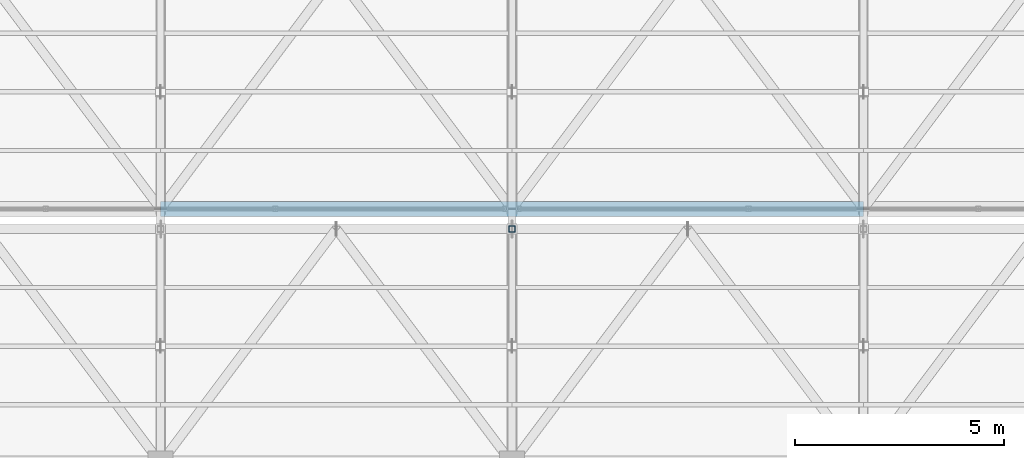
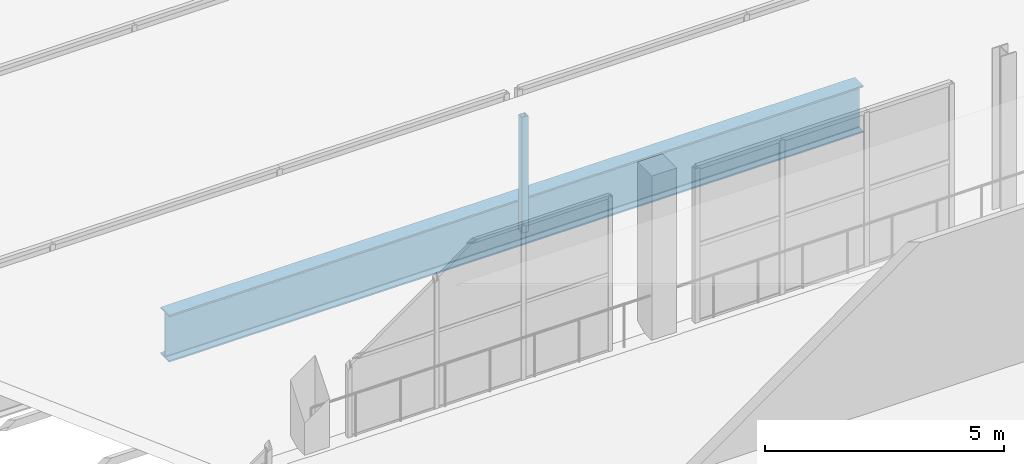
# One storey, part 93 of 217: 1 beam, 1 member.
"""IFC4 building model written with IfcOpenShell, lengths in metres."""

import ifcopenshell
import ifcopenshell.guid

model = None  # the IFC model being written
_history = None  # IfcOwnerHistory: only IFC2X3 demands one
_inside = {}  # id of a spatial element -> (the spatial element, [elements in it])
_under = {}  # id of a project, library or spatial element -> (it, [spatial elements below it])
_declared = {}  # id of a project -> (the project, [libraries it declares])
_typed = {}  # id of a type object -> (the type object, [elements of that type])
_made_of = {}  # id of a material, layer set ... -> (it, [elements and type objects made of it])


def new_model(schema):
    """Start an empty IFC model of exactly this schema.

    Asked for "IFC4X3", IfcOpenShell would pick the latest addendum, in which some entities
    have other attributes; the version numbers below select the first issue.
    IFC2X3 requires an IfcOwnerHistory on every rooted entity: one is made here for all.
    """
    global model, _history
    if schema == "IFC4X3":
        model = ifcopenshell.file(schema_version=(4, 3, 0, 0))
    else:
        model = ifcopenshell.file(schema=schema)
    _inside.clear()
    _under.clear()
    _declared.clear()
    _typed.clear()
    _made_of.clear()
    _history = None
    if model.schema == "IFC2X3":
        org = make("IfcOrganization", Name="unknown")
        user = make(
            "IfcPersonAndOrganization",
            ThePerson=make("IfcPerson", FamilyName="unknown"),
            TheOrganization=org,
        )
        app = make(
            "IfcApplication",
            ApplicationDeveloper=org,
            Version="unknown",
            ApplicationFullName="unknown",
            ApplicationIdentifier="unknown",
        )
        _history = make(
            "IfcOwnerHistory",
            OwningUser=user,
            OwningApplication=app,
            ChangeAction="ADDED",
            CreationDate=0,
        )
    return model


def make(cls, **values):
    """One entity of the class cls with the attributes given. An attribute that is None is left unset."""
    return model.create_entity(
        cls, **{name: value for name, value in values.items() if value is not None}
    )


def rooted(cls, **values):
    """An entity with a GlobalId (a new one), such as an element, a storey or a relation."""
    return make(cls, GlobalId=ifcopenshell.guid.new(), OwnerHistory=_history, **values)


def si_unit(unit_type, name, prefix=None):
    """IfcSIUnit, for example si_unit("LENGTHUNIT", "METRE", prefix="MILLI")."""
    return make("IfcSIUnit", UnitType=unit_type, Prefix=prefix, Name=name)


def assignment(units):
    """IfcUnitAssignment: the units of a project."""
    return None if units is None else make("IfcUnitAssignment", Units=units)


def point(xyz):
    """IfcCartesianPoint."""
    return None if xyz is None else make("IfcCartesianPoint", Coordinates=xyz)


def direction(xyz):
    """IfcDirection."""
    return None if xyz is None else make("IfcDirection", DirectionRatios=xyz)


def frame(location, z_axis=None, x_axis=None):
    """IfcAxis2Placement3D, a coordinate frame: its origin and axes. An axis left out is left unset."""
    return make(
        "IfcAxis2Placement3D",
        Location=point(location),
        Axis=direction(z_axis),
        RefDirection=direction(x_axis),
    )


def frame_2d(location, x_axis=None):
    """IfcAxis2Placement2D, a coordinate frame in the plane: its origin and x axis."""
    return make(
        "IfcAxis2Placement2D", Location=point(location), RefDirection=direction(x_axis)
    )


def origin():
    """The frame at (0, 0, 0) with its axes left unset."""
    return frame((0.0, 0.0, 0.0))


def origin_2d():
    """The frame at (0, 0) in the plane with its x axis left unset."""
    return frame_2d((0.0, 0.0))


def place(relative_to, where):
    """IfcLocalPlacement: puts the frame where relative to a parent placement (None: the world)."""
    return make(
        "IfcLocalPlacement", PlacementRelTo=relative_to, RelativePlacement=where
    )


def context(
    kind, dimensions, precision=None, world=None, true_north=None, identifier=None
):
    """IfcGeometricRepresentationContext, for example the 3D "Model" context."""
    return make(
        "IfcGeometricRepresentationContext",
        ContextIdentifier=identifier,
        ContextType=kind,
        CoordinateSpaceDimension=dimensions,
        Precision=precision,
        WorldCoordinateSystem=world,
        TrueNorth=true_north,
    )


def subcontext(parent, identifier, kind, view, scale=None):
    """IfcGeometricRepresentationSubContext, for example "Body" below "Model"."""
    return make(
        "IfcGeometricRepresentationSubContext",
        ContextIdentifier=identifier,
        ContextType=kind,
        ParentContext=parent,
        TargetScale=scale,
        TargetView=view,
    )


def project(units=None, contexts=None):
    """IfcProject with its units and contexts."""
    return rooted(
        "IfcProject",
        Name="project",
        RepresentationContexts=contexts,
        UnitsInContext=assignment(units),
    )


def spatial(cls, under=None, at=None, **own):
    """A site, building, storey or space (cls), placed at a placement, below another one or the project."""
    s = rooted(cls, ObjectPlacement=at, **own)
    if under is not None:
        _under.setdefault(under.id(), (under, []))[1].append(s)
    return s


def profile(cls, at=None, kind="AREA", **sizes):
    """A parametric profile (cls). Its sizes go by their IFC names, for example OverallWidth=200.0."""
    return make(cls, ProfileType=kind, Position=at, **sizes)


def hollow_rectangle(**sizes):
    """IfcRectangleHollowProfileDef."""
    return profile("IfcRectangleHollowProfileDef", **sizes)


def i_section(**sizes):
    """IfcIShapeProfileDef."""
    return profile("IfcIShapeProfileDef", **sizes)


def extrude(swept, where, along, depth):
    """IfcExtrudedAreaSolid: the profile swept, set in the frame where, extruded along a direction by depth."""
    return make(
        "IfcExtrudedAreaSolid",
        SweptArea=swept,
        Position=where,
        ExtrudedDirection=direction(along),
        Depth=depth,
    )


def shape(context_of_items, identifier, shape_type, items):
    """IfcShapeRepresentation: the items that make up one representation, for example the "Body"."""
    return make(
        "IfcShapeRepresentation",
        ContextOfItems=context_of_items,
        RepresentationIdentifier=identifier,
        RepresentationType=shape_type,
        Items=items,
    )


def material(Name=None, Category=None):
    """IfcMaterial."""
    return make("IfcMaterial", Name=Name, Category=Category)


def material_profile(
    of_material, cross_section, Name=None, Category=None, Priority=None
):
    """IfcMaterialProfile: a cross section and its material."""
    return make(
        "IfcMaterialProfile",
        Name=Name,
        Material=of_material,
        Profile=cross_section,
        Priority=Priority,
        Category=Category,
    )


def profile_set(profiles, Name=None, composite=None):
    """IfcMaterialProfileSet."""
    return make(
        "IfcMaterialProfileSet",
        Name=Name,
        MaterialProfiles=profiles,
        CompositeProfile=composite,
    )


def made_of(thing, what):
    """Note that an element or type object is made of a material, layer set ...; save() writes the relation."""
    if what is not None:
        _made_of.setdefault(what.id(), (what, []))[1].append(thing)
    return thing


def type_object(cls, material=None, **own):
    """A type object (cls), such as IfcWallType, which elements share."""
    return made_of(rooted(cls, **own), material)


def element(
    cls,
    number,
    at=None,
    inside=None,
    cuts=None,
    type_object=None,
    material=None,
    context=None,
    identifier="Body",
    shape_type=None,
    held_by="IfcProductDefinitionShape",
    body=None,
    shapes=None,
    **own,
):
    """One element of the class cls, such as IfcWall. Its Tag is "e" and its number.

    at: its placement. inside: the storey or other place that contains it. cuts: it is an
    opening in that element (IfcRelVoidsElement). A single representation is given by context,
    identifier, shape_type and body (its items); several are given by shapes. held_by: the class
    of the entity that holds the representations. save() writes the other relations.
    """
    e = rooted(cls, Tag="e%d" % number, ObjectPlacement=at, **own)
    if body is not None:
        shapes = [shape(context, identifier, shape_type, body)]
    if shapes is not None:
        e.Representation = make(held_by, Representations=shapes)
    if inside is not None:
        _inside.setdefault(inside.id(), (inside, []))[1].append(e)
    if cuts is not None:
        rooted(
            "IfcRelVoidsElement", RelatingBuildingElement=cuts, RelatedOpeningElement=e
        )
    if type_object is not None:
        _typed.setdefault(type_object.id(), (type_object, []))[1].append(e)
    return made_of(e, material)


def aggregate(whole, parts):
    """IfcRelAggregates: a whole, such as a stair, and the parts it consists of."""
    return rooted("IfcRelAggregates", RelatingObject=whole, RelatedObjects=parts)


def save(model, path):
    """Write the relations noted so far, then the file.

    IfcRelAggregates (storeys below a building ...), IfcRelContainedInSpatialStructure (elements
    in a storey), IfcRelDefinesByType, IfcRelAssociatesMaterial and IfcRelDeclares: one each for
    every whole, place, type object, material and project.
    """
    for whole, parts in _under.values():
        aggregate(whole, parts)
    for where, things in _inside.values():
        rooted(
            "IfcRelContainedInSpatialStructure",
            RelatedElements=things,
            RelatingStructure=where,
        )
    for kind, things in _typed.values():
        rooted("IfcRelDefinesByType", RelatedObjects=things, RelatingType=kind)
    for what, things in _made_of.values():
        rooted("IfcRelAssociatesMaterial", RelatedObjects=things, RelatingMaterial=what)
    for by, libraries in _declared.values():
        rooted("IfcRelDeclares", RelatingContext=by, RelatedDefinitions=libraries)
    model.write(path)


model = new_model("IFC4")

# Units and contexts
model_context = context("Model", 3, precision=1e-05, world=origin(), true_north=direction((0.0, 1.0)))
body_context = subcontext(model_context, "Body", "Model", "MODEL_VIEW")
ifc_project = project(units=[si_unit("LENGTHUNIT", "METRE"), si_unit("AREAUNIT", "SQUARE_METRE"), si_unit("VOLUMEUNIT", "CUBIC_METRE"), si_unit("PLANEANGLEUNIT", "RADIAN"), si_unit("MASSUNIT", "GRAM", prefix="KILO")], contexts=[model_context])

# Site, building, storey
site_placement = place(None, origin())
site = spatial("IfcSite", under=ifc_project, at=site_placement, CompositionType="ELEMENT")
building_placement = place(site_placement, origin())
building = spatial("IfcBuilding", under=site, at=building_placement, Name="Zuvorla Pavilion Media Centre", CompositionType="ELEMENT")
storey_placement = place(building_placement, frame((0.0, 0.0, 9.60009765625)))
storey = spatial("IfcBuildingStorey", under=building, at=storey_placement, Name="L02", CompositionType="ELEMENT", Elevation=9.60009765625)

# Beam
ifc_material = material(Name="Steel S355", Category="steel")
ifc_material_profile_1 = material_profile(ifc_material, i_section(OverallWidth=0.360107421875, OverallDepth=1.199951171875, WebThickness=0.02001953125, FlangeThickness=0.0380859375, FilletRadius=0.02392578125, at=origin_2d()), Name="PG 1200x360x38")
ifc_profile_set_1 = profile_set([ifc_material_profile_1], Name="Steel S355")
beam_type = type_object("IfcBeamType", Name="BM-PG1200", PredefinedType="BEAM", material=ifc_profile_set_1)
beam_placement = place(storey_placement, frame((108.800048828125, 95.679931640625, -0.88818359375), z_axis=(1.0, 0.0, 0.0), x_axis=(0.0, 1.0, 0.0)))
element("IfcBeam", 1, at=beam_placement, inside=storey, type_object=beam_type, Name="L02 beam B01 1788", PredefinedType="BEAM", context=body_context, shape_type="SweptSolid", body=[
    extrude(i_section(OverallWidth=0.360107421875, OverallDepth=1.199951171875, WebThickness=0.02001953125, FlangeThickness=0.0380859375, FilletRadius=0.02392578125, at=origin_2d()), origin(), (0.0, 0.0, 1.0), 16.800048828125),
])

# Member
ifc_material_profile_2 = material_profile(ifc_material, hollow_rectangle(XDim=0.14990234375, YDim=0.14990234375, WallThickness=0.008056640625, at=origin_2d()), Name="SHS 150x150x8")
ifc_profile_set_2 = profile_set([ifc_material_profile_2], Name="Steel S355")
member_type = type_object("IfcMemberType", Name="MEM-STR-SHS150", PredefinedType="STRUT", material=ifc_profile_set_2)
member_placement = place(storey_placement, frame((117.199951171875, 95.199951171875, -0.880126953125), z_axis=(0.0, 0.0, 1.0), x_axis=(1.0, 0.0, 0.0)))
element("IfcMember", 2, at=member_placement, inside=storey, type_object=member_type, Name="L02 vertical strut TS01 65", PredefinedType="STRUT", context=body_context, shape_type="SweptSolid", body=[
    extrude(hollow_rectangle(XDim=0.14990234375, YDim=0.14990234375, WallThickness=0.008056640625, at=origin_2d()), origin(), (0.0, 0.0, 1.0), 2.963623046875),
])

save(model, "model.ifc")
